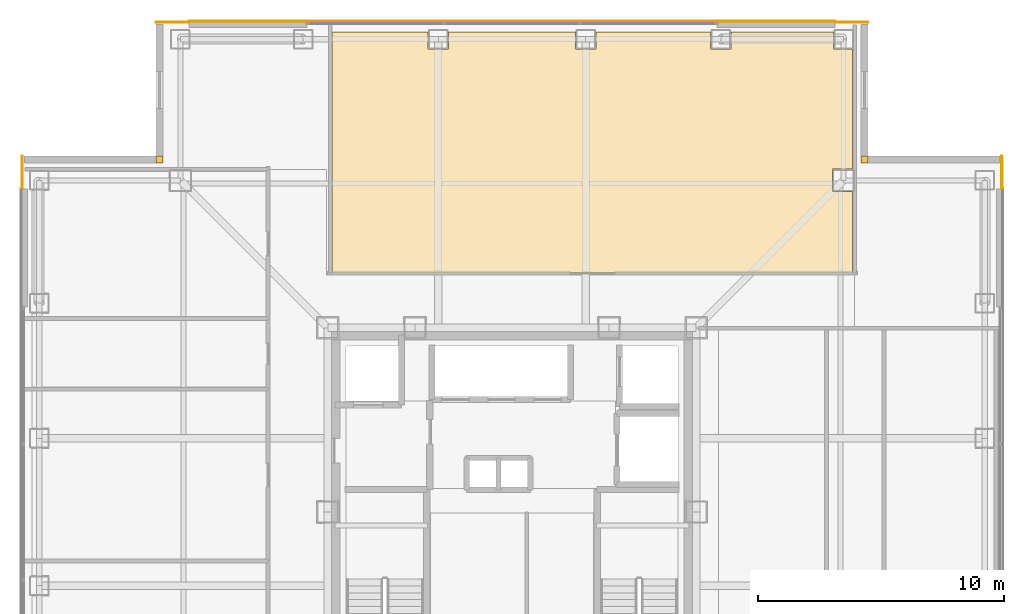
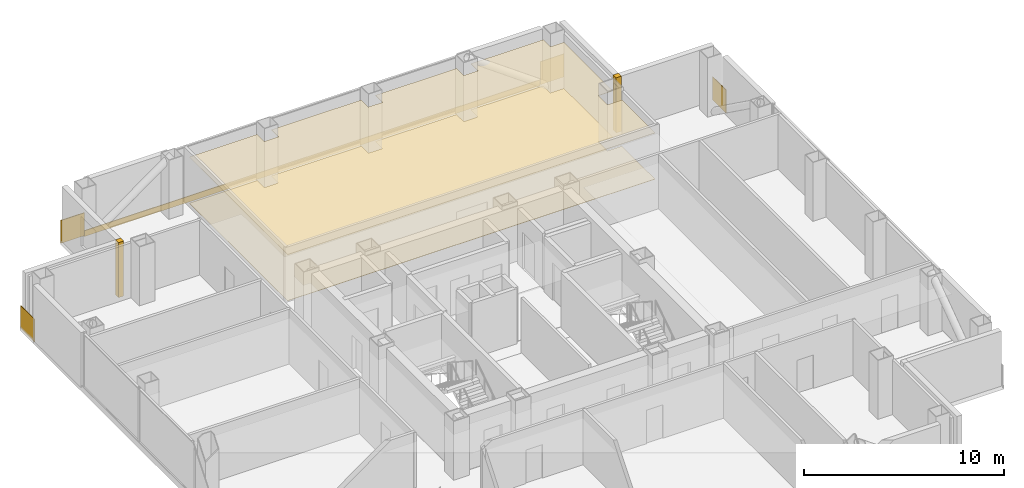
# One storey, part 17 of 17: 9 coverings.
"""IFC4 building model written with IfcOpenShell, lengths in metres."""

from ifc_helpers import new_model, si_unit, direction, frame, frame_2d, origin, place, context, subcontext, project, spatial, polyline, rectangle, outline, extrude, material, layer, layer_set, type_object, element, save


model = new_model("IFC4")

# Units and contexts
model_context = context("Model", 3, precision=1e-05, world=origin(), true_north=direction((0.0, 1.0)))
body_context = subcontext(model_context, "Body", "Model", "MODEL_VIEW")
ifc_project = project(units=[si_unit("LENGTHUNIT", "METRE"), si_unit("AREAUNIT", "SQUARE_METRE"), si_unit("VOLUMEUNIT", "CUBIC_METRE"), si_unit("PLANEANGLEUNIT", "RADIAN"), si_unit("MASSUNIT", "GRAM", prefix="KILO")], contexts=[model_context])

# Site, building, storey
site_placement = place(None, origin())
site = spatial("IfcSite", under=ifc_project, at=site_placement, CompositionType="ELEMENT")
building_placement = place(site_placement, origin())
building = spatial("IfcBuilding", under=site, at=building_placement, Name="Trevonay Congress Spire", CompositionType="ELEMENT")
storey_placement = place(building_placement, frame((0.0, 0.0, 213.0)))
storey = spatial("IfcBuildingStorey", under=building, at=storey_placement, Name="L55", CompositionType="ELEMENT", Elevation=213.0)

# Coverings
ifc_material_1 = material(Name="Acoustic Mineral Fibre Board", Category="gypsum")
ifc_layer_1 = layer(ifc_material_1, 0.02490234375, Name="Acoustic Mineral Fibre Board")
ifc_layer_set_1 = layer_set([ifc_layer_1], Name="Acoustic Mineral Fibre Board")
covering_type_1 = type_object("IfcCoveringType", Name="COV-CEIL-ACOUSTIC", PredefinedType="CEILING", material=ifc_layer_set_1)
covering_1_placement = place(storey_placement, frame((0.0, 0.0, 2.81005859375)))
element("IfcCovering", 1, at=covering_1_placement, inside=storey, type_object=covering_type_1, Name="L55 Main Plenary FinTech Auditorium Hall acoustic suspended ceiling", PredefinedType="CEILING", context=body_context, shape_type="SweptSolid", body=[
    extrude(outline(polyline([(13.8701171875, 9.72998046875), (-7.320068359375, 9.72998046875), (-7.320068359375, 19.550048828125), (-3.409912109375, 19.550048828125), (-3.409912109375, 18.840087890625), (-2.590087890625, 18.840087890625), (-2.590087890625, 19.550048828125), (2.590087890625, 19.550048828125), (2.590087890625, 18.840087890625), (3.409912109375, 18.840087890625), (3.409912109375, 19.550048828125), (8.090087890625, 19.550048828125), (8.090087890625, 18.840087890625), (8.909912109375, 18.840087890625), (8.909912109375, 19.550048828125), (13.090087890625, 19.550048828125), (13.090087890625, 18.840087890625), (13.8701171875, 18.840087890625), (13.8701171875, 13.9599609375), (13.0400390625, 13.9599609375), (13.0400390625, 13.0400390625), (13.8701171875, 13.0400390625), (13.8701171875, 9.72998046875)])), origin(), (0.0, 0.0, 1.0), 0.02490234375),
])
ifc_material_2 = material(Name="Polished Granite Floor Tile", Category="masonry")
ifc_layer_2 = layer(ifc_material_2, 0.02001953125, Name="Polished Granite Floor Tile")
ifc_layer_set_2 = layer_set([ifc_layer_2], Name="Polished Granite Floor Tile")
covering_type_2 = type_object("IfcCoveringType", Name="COV-FLOOR-STONE", PredefinedType="FLOORING", material=ifc_layer_set_2)
covering_2_placement = place(storey_placement, origin())
element("IfcCovering", 2, at=covering_2_placement, inside=storey, type_object=covering_type_2, Name="L55 Main Plenary FinTech Auditorium Hall floor finish", PredefinedType="FLOORING", context=body_context, shape_type="SweptSolid", body=[
    extrude(outline(polyline([(13.8701171875, 9.72998046875), (-7.320068359375, 9.72998046875), (-7.320068359375, 19.550048828125), (-3.409912109375, 19.550048828125), (-3.409912109375, 18.840087890625), (-2.590087890625, 18.840087890625), (-2.590087890625, 19.550048828125), (2.590087890625, 19.550048828125), (2.590087890625, 18.840087890625), (3.409912109375, 18.840087890625), (3.409912109375, 19.550048828125), (8.090087890625, 19.550048828125), (8.090087890625, 18.840087890625), (8.909912109375, 18.840087890625), (8.909912109375, 19.550048828125), (13.090087890625, 19.550048828125), (13.090087890625, 18.840087890625), (13.8701171875, 18.840087890625), (13.8701171875, 13.9599609375), (13.0400390625, 13.9599609375), (13.0400390625, 13.0400390625), (13.8701171875, 13.0400390625), (13.8701171875, 9.72998046875)])), origin(), (0.0, 0.0, 1.0), 0.02001953125),
])
ifc_material_3 = material(Name="Pale Anodised Aluminium EN AW-6063-T6", Category="aluminium")
ifc_layer_3 = layer(ifc_material_3, 0.0400390625, Name="Pale Anodised Aluminium EN AW-6063-T6")
ifc_layer_set_3 = layer_set([ifc_layer_3], Name="Pale Anodised Aluminium EN AW-6063-T6")
covering_type_3 = type_object("IfcCoveringType", Name="COV-SPANDREL-PALE-METAL", PredefinedType="CLADDING", material=ifc_layer_set_3)
covering_3_placement = place(storey_placement, frame((-13.14990234375, 19.97998046875, -0.239990234375), z_axis=(0.0, 0.0, 1.0), x_axis=(1.0, 0.0, 0.0)))
element("IfcCovering", 3, at=covering_3_placement, inside=storey, type_object=covering_type_3, Name="L55 N pale-metal slab-edge spandrel cladding", PredefinedType="CLADDING", context=body_context, shape_type="SweptSolid", body=[
    extrude(rectangle(XDim=26.2998046875, YDim=0.0400390625, at=frame_2d((13.14990234375, 0.0))), origin(), (0.0, 0.0, 1.0), 0.360107421875),
])
covering_4_placement = place(storey_placement, origin())
element("IfcCovering", 4, at=covering_4_placement, inside=storey, type_object=covering_type_3, Name="L55 NE re-entrant notch corner closure trim", PredefinedType="CLADDING", context=body_context, shape_type="SweptSolid", body=[
    extrude(outline(polyline([(14.199951171875, 14.199951171875), (14.5, 14.199951171875), (14.5, 14.5), (14.199951171875, 14.5), (14.199951171875, 14.199951171875)])), origin(), (0.0, 0.0, 1.0), 3.360107421875),
])
for number, where, z_axis, x_axis, name in (
    (5, (19.93994140625, 13.14990234375, -0.14990234375), (0.0, 0.0, 1.0), (0.0, 1.0, 0.0), "L55 NE corner pier spandrel cladding 1"),
    (6, (13.14990234375, 19.93994140625, -0.14990234375), (0.0, 0.0, 1.0), (1.0, 0.0, 0.0), "L55 NE corner pier spandrel cladding 2"),
):
    element("IfcCovering", number, at=place(storey_placement, frame(where, z_axis=z_axis, x_axis=x_axis)), inside=storey, type_object=covering_type_3, Name=name, PredefinedType="CLADDING", context=body_context, shape_type="SweptSolid", body=[
        extrude(rectangle(XDim=1.35009765625, YDim=0.0400390625, at=frame_2d((0.675048828125, 0.0))), origin(), (0.0, 0.0, 1.0), 1.39990234375),
    ])
covering_5_placement = place(storey_placement, origin())
element("IfcCovering", 7, at=covering_5_placement, inside=storey, type_object=covering_type_3, Name="L55 NW re-entrant notch corner closure trim", PredefinedType="CLADDING", context=body_context, shape_type="SweptSolid", body=[
    extrude(outline(polyline([(-14.5, 14.199951171875), (-14.199951171875, 14.199951171875), (-14.199951171875, 14.5), (-14.5, 14.5), (-14.5, 14.199951171875)])), origin(), (0.0, 0.0, 1.0), 3.360107421875),
])
for number, where, z_axis, x_axis, name in (
    (8, (-19.93994140625, 13.14990234375, -0.14990234375), (0.0, 0.0, 1.0), (0.0, 1.0, 0.0), "L55 NW corner pier spandrel cladding 1"),
    (9, (-13.14990234375, 19.93994140625, -0.14990234375), (0.0, 0.0, 1.0), (-1.0, 0.0, 0.0), "L55 NW corner pier spandrel cladding 2"),
):
    element("IfcCovering", number, at=place(storey_placement, frame(where, z_axis=z_axis, x_axis=x_axis)), inside=storey, type_object=covering_type_3, Name=name, PredefinedType="CLADDING", context=body_context, shape_type="SweptSolid", body=[
        extrude(rectangle(XDim=1.35009765625, YDim=0.0400390625, at=frame_2d((0.675048828125, 0.0))), origin(), (0.0, 0.0, 1.0), 1.39990234375),
    ])

save(model, "model.ifc")
